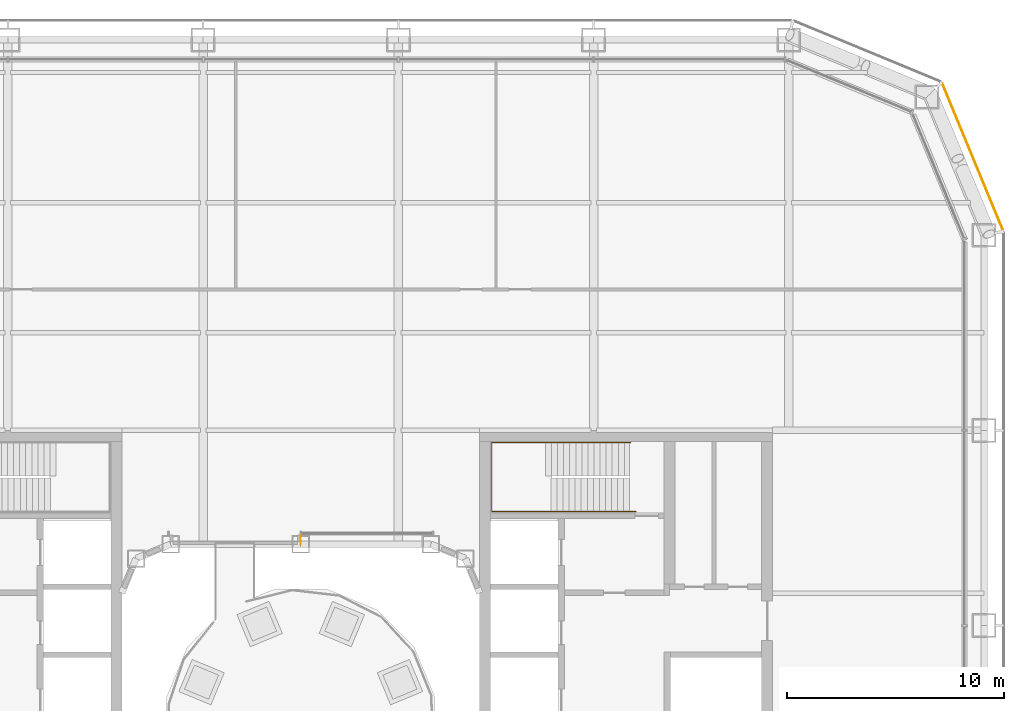
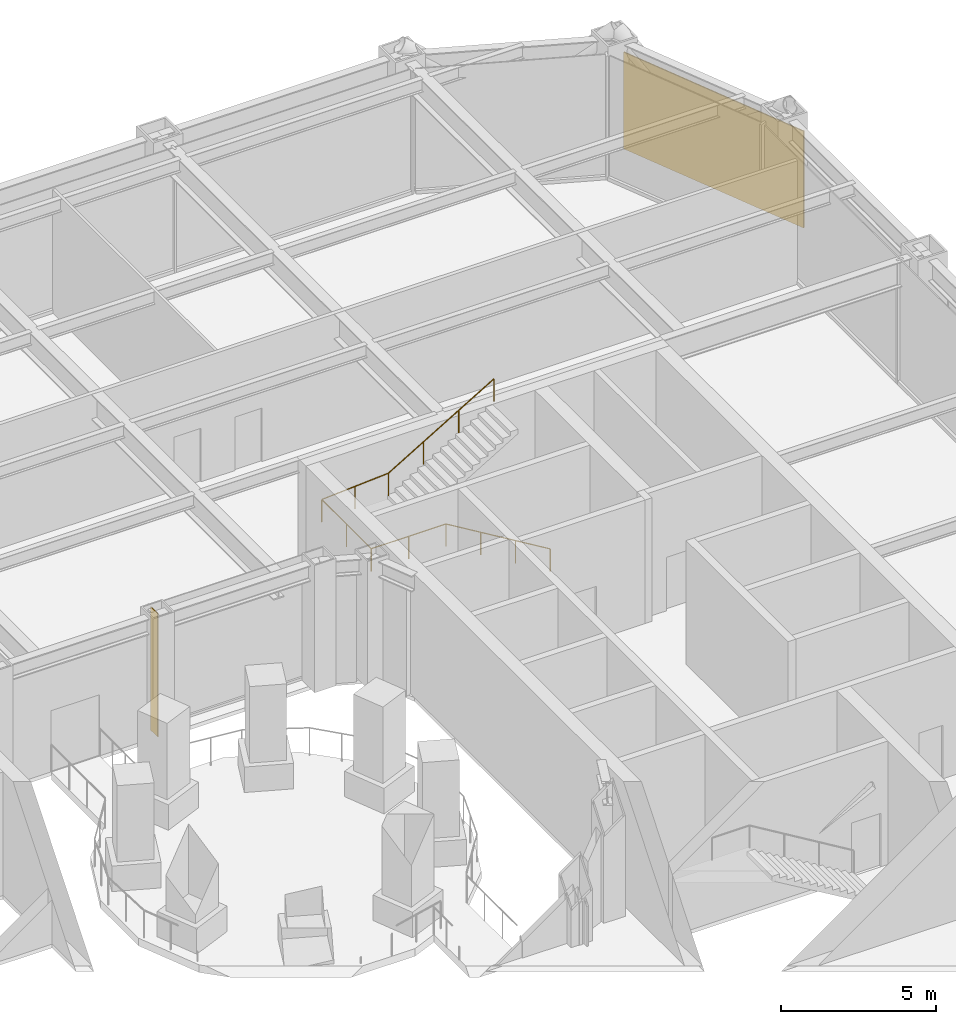
# One storey, part 23 of 25: 1 covering, 1 railing, 1 shading device.
"""IFC4 building model written with IfcOpenShell, lengths in metres."""

from ifc_helpers import new_model, si_unit, direction, frame, origin, origin_2d, place, context, subcontext, project, spatial, rectangle, circle, extrude, material, layer, layer_set, type_object, element, save


model = new_model("IFC4")

# Units and contexts
model_context = context("Model", 3, precision=1e-05, world=origin(), true_north=direction((0.0, 1.0)))
body_context = subcontext(model_context, "Body", "Model", "MODEL_VIEW")
ifc_project = project(units=[si_unit("LENGTHUNIT", "METRE"), si_unit("AREAUNIT", "SQUARE_METRE"), si_unit("VOLUMEUNIT", "CUBIC_METRE"), si_unit("PLANEANGLEUNIT", "RADIAN"), si_unit("MASSUNIT", "GRAM", prefix="KILO")], contexts=[model_context])

# Site, building, storey
site_placement = place(None, origin())
site = spatial("IfcSite", under=ifc_project, at=site_placement, CompositionType="ELEMENT")
building_placement = place(site_placement, origin())
building = spatial("IfcBuilding", under=site, at=building_placement, Name="Siwar Civic Tower", CompositionType="ELEMENT")
storey_placement = place(building_placement, frame((0.0, 0.0, 17.199951171875)))
storey = spatial("IfcBuildingStorey", under=building, at=storey_placement, Name="L03", CompositionType="ELEMENT", Elevation=17.199951171875)

# Railing
ifc_material_1 = material(Name="Stainless steel", Category="steel")
railing_type = type_object("IfcRailingType", Name="CORE-STAIR-HANDRAIL", PredefinedType="HANDRAIL", material=ifc_material_1)
railing_placement = place(storey_placement, frame((15.449951171875, 9.758056640625, 0.166748046875)))
element("IfcRailing", 1, at=railing_placement, inside=storey, type_object=railing_type, Name="Stair handrail ST3", PredefinedType="HANDRAIL", context=body_context, shape_type="SweptSolid", body=[
    extrude(circle(Radius=0.02001953125, at=origin_2d()), frame((0.0, 0.0, 0.8798828125), z_axis=(-0.856384976194, 0.0, 0.516337847296), x_axis=(0.0, -1.0, 0.0)), (0.0, 0.0, 1.0), 4.518798828125),
    extrude(circle(Radius=0.02001953125, at=origin_2d()), frame((-3.869873046875, 0.0, 3.213134765625), z_axis=(-1.0, 0.0, 0.0), x_axis=(0.0, -1.0, 0.0)), (0.0, 0.0, 1.0), 2.77197265625),
    extrude(circle(Radius=0.02001953125, at=origin_2d()), frame((-6.641845703125, 0.0, 3.213134765625), z_axis=(0.0, 1.0, 0.0), x_axis=(-1.0, 0.0, 0.0)), (0.0, 0.0, 1.0), 3.183837890625),
    extrude(circle(Radius=0.02001953125, at=origin_2d()), frame((-6.641845703125, 3.183837890625, 3.213134765625), z_axis=(0.997732526271, 0.0, 0.067303833624), x_axis=(0.0, 1.0, 0.0)), (0.0, 0.0, 1.0), 2.4775390625),
    extrude(circle(Radius=0.02001953125, at=origin_2d()), frame((-4.169921875, 3.183837890625, 3.3798828125), z_axis=(0.859296244711, 0.0, 0.511478214419), x_axis=(0.0, 1.0, 0.0)), (0.0, 0.0, 1.0), 4.561767578125),
    extrude(circle(Radius=0.02001953125, at=origin_2d()), origin(), (0.0, 0.0, 1.0), 0.85986328125),
    extrude(circle(Radius=0.02001953125, at=origin_2d()), frame((-1.2900390625, 0.0, 0.77783203125)), (0.0, 0.0, 1.0), 0.85986328125),
    extrude(circle(Radius=0.02001953125, at=origin_2d()), frame((-2.579833984375, 0.0, 1.555419921875)), (0.0, 0.0, 1.0), 0.85986328125),
    extrude(circle(Radius=0.02001953125, at=origin_2d()), frame((-3.869873046875, 0.0, 2.333251953125)), (0.0, 0.0, 1.0), 0.85986328125),
    extrude(circle(Radius=0.02001953125, at=origin_2d()), frame((-5.255859375, 0.0, 2.333251953125)), (0.0, 0.0, 1.0), 0.85986328125),
    extrude(circle(Radius=0.02001953125, at=origin_2d()), frame((-6.641845703125, 0.0, 2.333251953125)), (0.0, 0.0, 1.0), 0.85986328125),
    extrude(circle(Radius=0.02001953125, at=origin_2d()), frame((-6.641845703125, 1.591796875, 2.333251953125)), (0.0, 0.0, 1.0), 0.85986328125),
    extrude(circle(Radius=0.02001953125, at=origin_2d()), frame((-6.641845703125, 3.183837890625, 2.333251953125)), (0.0, 0.0, 1.0), 0.85986328125),
    extrude(circle(Radius=0.02001953125, at=origin_2d()), frame((-5.40576171875, 3.183837890625, 2.41650390625)), (0.0, 0.0, 1.0), 0.85986328125),
    extrude(circle(Radius=0.02001953125, at=origin_2d()), frame((-4.169921875, 3.183837890625, 2.5)), (0.0, 0.0, 1.0), 0.85986328125),
    extrude(circle(Radius=0.02001953125, at=origin_2d()), frame((-2.86328125, 3.183837890625, 3.27783203125)), (0.0, 0.0, 1.0), 0.85986328125),
    extrude(circle(Radius=0.02001953125, at=origin_2d()), frame((-1.556640625, 3.183837890625, 4.055419921875)), (0.0, 0.0, 1.0), 0.85986328125),
    extrude(circle(Radius=0.02001953125, at=origin_2d()), frame((-0.25, 3.183837890625, 4.833251953125)), (0.0, 0.0, 1.0), 0.85986328125),
])

# Shading device
ifc_material_2 = material(Name="Aluminium 6063-T6", Category="aluminium")
ifc_layer_1 = layer(ifc_material_2, 0.02001953125)
ifc_layer_set_1 = layer_set([ifc_layer_1], Name="Aluminium 6063-T6")
shading_device_type = type_object("IfcShadingDeviceType", Name="ENV-FIN", PredefinedType="JALOUSIE", material=ifc_layer_set_1)
shading_device_placement = place(storey_placement, frame((0.0, 8.445068359375, 0.0), z_axis=(0.0, 0.0, 1.0), x_axis=(-1.0, 0.0, 0.0)))
element("IfcShadingDevice", 2, at=shading_device_placement, inside=storey, type_object=shading_device_type, Name="SUNSHADE fin WN 1", PredefinedType="JALOUSIE", context=body_context, shape_type="SweptSolid", body=[
    extrude(rectangle(XDim=0.02001953125, YDim=0.449951171875, at=origin_2d()), origin(), (0.0, 0.0, 1.0), 4.85009765625),
])

# Covering
ifc_material_3 = material(Name="Perforated aluminium cassette, pale metal", Category="aluminium")
ifc_layer_2 = layer(ifc_material_3, 0.0400390625)
ifc_layer_set_2 = layer_set([ifc_layer_2], Name="Perforated aluminium cassette, pale metal")
covering_type = type_object("IfcCoveringType", Name="ENV-OUTER SKIN OS-1", PredefinedType="CLADDING", material=ifc_layer_set_2)
covering_placement = place(storey_placement, frame((30.976318359375, 26.115966796875, -0.14990234375), z_axis=(0.0, 0.0, 1.0), x_axis=(-0.382683432365, 0.923879532511, 0.0)))
element("IfcCovering", 3, at=covering_placement, inside=storey, type_object=covering_type, Name="OUTER SKIN OS-1 NE1 1", PredefinedType="CLADDING", context=body_context, shape_type="SweptSolid", body=[
    extrude(rectangle(XDim=7.300048828125, YDim=0.0400390625, at=origin_2d()), origin(), (0.0, 0.0, 1.0), 3.800048828125),
])

save(model, "model.ifc")
